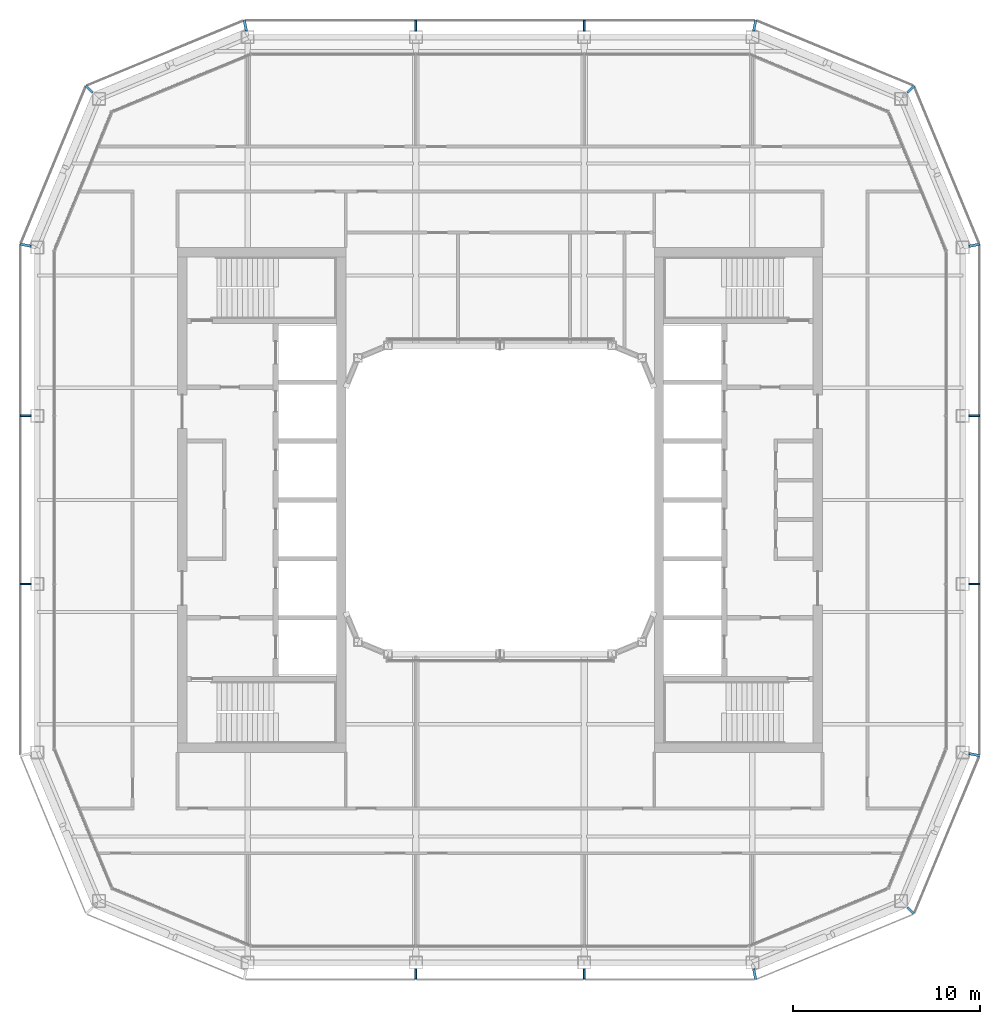
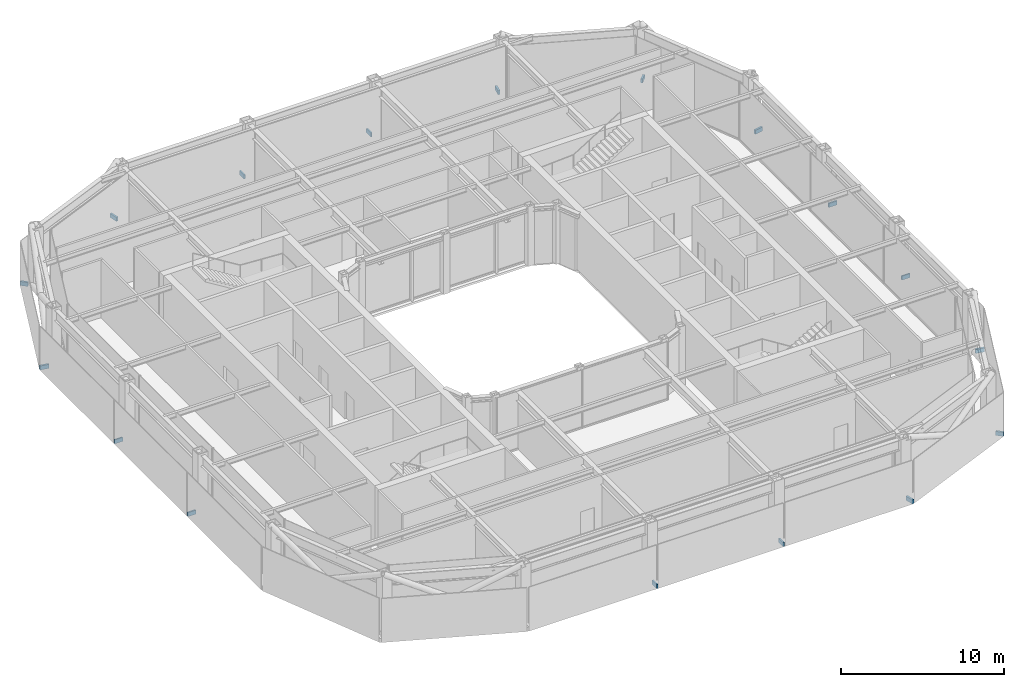
# One storey, part 14 of 18: 17 discrete accessories.
"""IFC4 building model written with IfcOpenShell, lengths in metres."""

from ifc_helpers import new_model, si_unit, direction, frame, origin, origin_2d, place, context, subcontext, project, spatial, rectangle, extrude, material, type_object, element, save


model = new_model("IFC4")

# Units and contexts
model_context = context("Model", 3, precision=1e-05, world=origin(), true_north=direction((0.0, 1.0)))
body_context = subcontext(model_context, "Body", "Model", "MODEL_VIEW")
ifc_project = project(units=[si_unit("LENGTHUNIT", "METRE"), si_unit("AREAUNIT", "SQUARE_METRE"), si_unit("VOLUMEUNIT", "CUBIC_METRE"), si_unit("PLANEANGLEUNIT", "RADIAN"), si_unit("MASSUNIT", "GRAM", prefix="KILO")], contexts=[model_context])

# Site, building, storey
site_placement = place(None, origin())
site = spatial("IfcSite", under=ifc_project, at=site_placement, CompositionType="ELEMENT")
building_placement = place(site_placement, origin())
building = spatial("IfcBuilding", under=site, at=building_placement, Name="Siwar Civic Tower", CompositionType="ELEMENT")
storey_placement = place(building_placement, frame((0.0, 0.0, 321.199951171875)))
storey = spatial("IfcBuildingStorey", under=building, at=storey_placement, Name="L69", CompositionType="ELEMENT", Elevation=321.199951171875)

# Discrete accessories
ifc_material = material(Name="Stainless steel 316", Category="steel")
discrete_accessory_type = type_object("IfcDiscreteAccessoryType", Name="ENV-BRACKET", PredefinedType="BRACKET", material=ifc_material)
for number, where, z_axis, x_axis, name in (
    (1, (25.364990234375, -4.5, -0.14990234375), (0.0, 0.0, 1.0), (1.0, 0.0, 0.0), "Bracket outer skin joint E-01"),
    (2, (25.364990234375, 4.5, -0.14990234375), (0.0, 0.0, 1.0), (1.0, 0.0, 0.0), "Bracket outer skin joint E-02"),
    (3, (4.5, 25.364990234375, -0.14990234375), (0.0, 0.0, 1.0), (0.0, 1.0, 0.0), "Bracket outer skin joint N-01"),
    (4, (-4.5, 25.364990234375, -0.14990234375), (0.0, 0.0, 1.0), (0.0, 1.0, 0.0), "Bracket outer skin joint N-02"),
    (5, (-4.5, -25.364990234375, -0.14990234375), (0.0, 0.0, 1.0), (0.0, -1.0, 0.0), "Bracket outer skin joint S-01"),
    (6, (4.5, -25.364990234375, -0.14990234375), (0.0, 0.0, 1.0), (0.0, -1.0, 0.0), "Bracket outer skin joint S-02"),
):
    element("IfcDiscreteAccessory", number, at=place(storey_placement, frame(where, z_axis=z_axis, x_axis=x_axis)), inside=storey, type_object=discrete_accessory_type, Name=name, PredefinedType="BRACKET", context=body_context, shape_type="SweptSolid", body=[
        extrude(rectangle(XDim=0.570068359375, YDim=0.10009765625, at=origin_2d()), origin(), (0.0, 0.0, 1.0), 0.300048828125),
    ])
discrete_accessory_1_placement = place(storey_placement, frame((13.622314453125, -25.365234375, -0.14990234375), z_axis=(0.0, 0.0, 1.0), x_axis=(0.195090322016, -0.980785280403, 0.0)))
element("IfcDiscreteAccessory", 7, at=discrete_accessory_1_placement, inside=storey, type_object=discrete_accessory_type, Name="Bracket outer skin joint V01", PredefinedType="BRACKET", context=body_context, shape_type="SweptSolid", body=[
    extrude(rectangle(XDim=0.580810546875, YDim=0.13720703125, at=origin_2d()), origin(), (0.0, 0.0, 1.0), 0.300048828125),
])
discrete_accessory_2_placement = place(storey_placement, frame((21.96728515625, -21.96728515625, -0.14990234375), z_axis=(0.0, 0.0, 1.0), x_axis=(0.707106781187, -0.707106781187, 0.0)))
element("IfcDiscreteAccessory", 8, at=discrete_accessory_2_placement, inside=storey, type_object=discrete_accessory_type, Name="Bracket outer skin joint V02", PredefinedType="BRACKET", context=body_context, shape_type="SweptSolid", body=[
    extrude(rectangle(XDim=0.499267578125, YDim=0.12939453125, at=origin_2d()), origin(), (0.0, 0.0, 1.0), 0.300048828125),
])
for number, where, z_axis, x_axis, name in (
    (9, (25.365234375, -13.622314453125, -0.14990234375), (0.0, 0.0, 1.0), (0.980785280403, -0.195090322016, 0.0), "Bracket outer skin joint V03"),
    (10, (25.365234375, 13.622314453125, -0.14990234375), (0.0, 0.0, 1.0), (0.980785280403, 0.195090322016, 0.0), "Bracket outer skin joint V04"),
):
    element("IfcDiscreteAccessory", number, at=place(storey_placement, frame(where, z_axis=z_axis, x_axis=x_axis)), inside=storey, type_object=discrete_accessory_type, Name=name, PredefinedType="BRACKET", context=body_context, shape_type="SweptSolid", body=[
        extrude(rectangle(XDim=0.580810546875, YDim=0.13720703125, at=origin_2d()), origin(), (0.0, 0.0, 1.0), 0.300048828125),
    ])
discrete_accessory_3_placement = place(storey_placement, frame((21.96728515625, 21.96728515625, -0.14990234375), z_axis=(0.0, 0.0, 1.0), x_axis=(0.707106781187, 0.707106781187, 0.0)))
element("IfcDiscreteAccessory", 11, at=discrete_accessory_3_placement, inside=storey, type_object=discrete_accessory_type, Name="Bracket outer skin joint V05", PredefinedType="BRACKET", context=body_context, shape_type="SweptSolid", body=[
    extrude(rectangle(XDim=0.499267578125, YDim=0.12939453125, at=origin_2d()), origin(), (0.0, 0.0, 1.0), 0.300048828125),
])
for number, where, z_axis, x_axis, name in (
    (12, (13.622314453125, 25.365234375, -0.14990234375), (0.0, 0.0, 1.0), (0.195090322016, 0.980785280403, 0.0), "Bracket outer skin joint V06"),
    (13, (-13.622314453125, 25.365234375, -0.14990234375), (0.0, 0.0, 1.0), (-0.195090322016, 0.980785280403, 0.0), "Bracket outer skin joint V07"),
):
    element("IfcDiscreteAccessory", number, at=place(storey_placement, frame(where, z_axis=z_axis, x_axis=x_axis)), inside=storey, type_object=discrete_accessory_type, Name=name, PredefinedType="BRACKET", context=body_context, shape_type="SweptSolid", body=[
        extrude(rectangle(XDim=0.580810546875, YDim=0.13720703125, at=origin_2d()), origin(), (0.0, 0.0, 1.0), 0.300048828125),
    ])
discrete_accessory_4_placement = place(storey_placement, frame((-21.96728515625, 21.96728515625, -0.14990234375), z_axis=(0.0, 0.0, 1.0), x_axis=(-0.707106781187, 0.707106781187, 0.0)))
element("IfcDiscreteAccessory", 14, at=discrete_accessory_4_placement, inside=storey, type_object=discrete_accessory_type, Name="Bracket outer skin joint V08", PredefinedType="BRACKET", context=body_context, shape_type="SweptSolid", body=[
    extrude(rectangle(XDim=0.499267578125, YDim=0.12939453125, at=origin_2d()), origin(), (0.0, 0.0, 1.0), 0.300048828125),
])
discrete_accessory_5_placement = place(storey_placement, frame((-25.365234375, 13.622314453125, -0.14990234375), z_axis=(0.0, 0.0, 1.0), x_axis=(-0.980785280403, 0.195090322016, 0.0)))
element("IfcDiscreteAccessory", 15, at=discrete_accessory_5_placement, inside=storey, type_object=discrete_accessory_type, Name="Bracket outer skin joint V09", PredefinedType="BRACKET", context=body_context, shape_type="SweptSolid", body=[
    extrude(rectangle(XDim=0.580810546875, YDim=0.13720703125, at=origin_2d()), origin(), (0.0, 0.0, 1.0), 0.300048828125),
])
for number, where, z_axis, x_axis, name in (
    (16, (-25.364990234375, 4.5, -0.14990234375), (0.0, 0.0, 1.0), (-1.0, 0.0, 0.0), "Bracket outer skin joint W-01"),
    (17, (-25.364990234375, -4.5, -0.14990234375), (0.0, 0.0, 1.0), (-1.0, 0.0, 0.0), "Bracket outer skin joint W-02"),
):
    element("IfcDiscreteAccessory", number, at=place(storey_placement, frame(where, z_axis=z_axis, x_axis=x_axis)), inside=storey, type_object=discrete_accessory_type, Name=name, PredefinedType="BRACKET", context=body_context, shape_type="SweptSolid", body=[
        extrude(rectangle(XDim=0.570068359375, YDim=0.10009765625, at=origin_2d()), origin(), (0.0, 0.0, 1.0), 0.300048828125),
    ])

save(model, "model.ifc")
